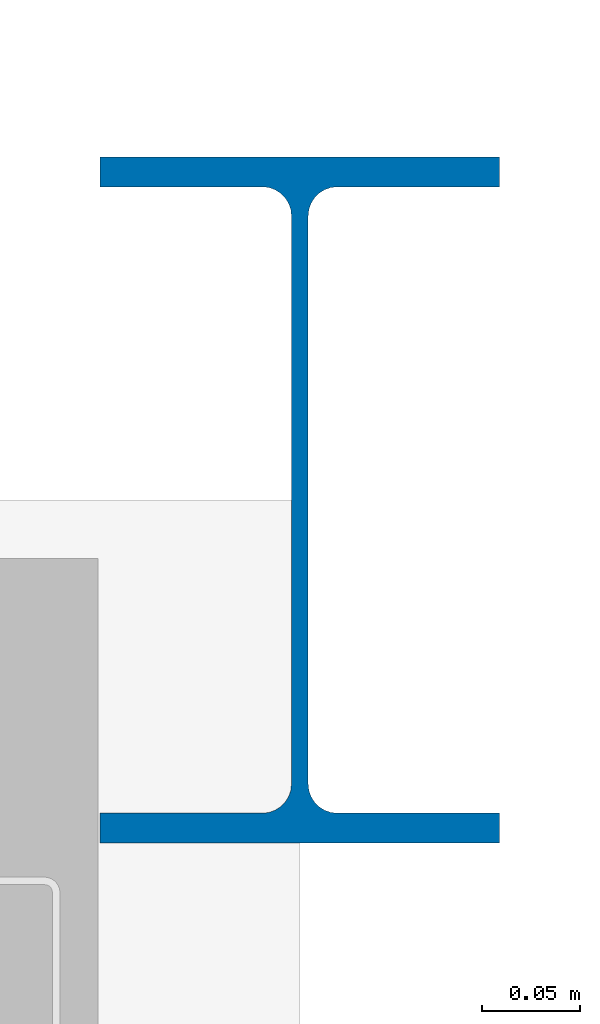
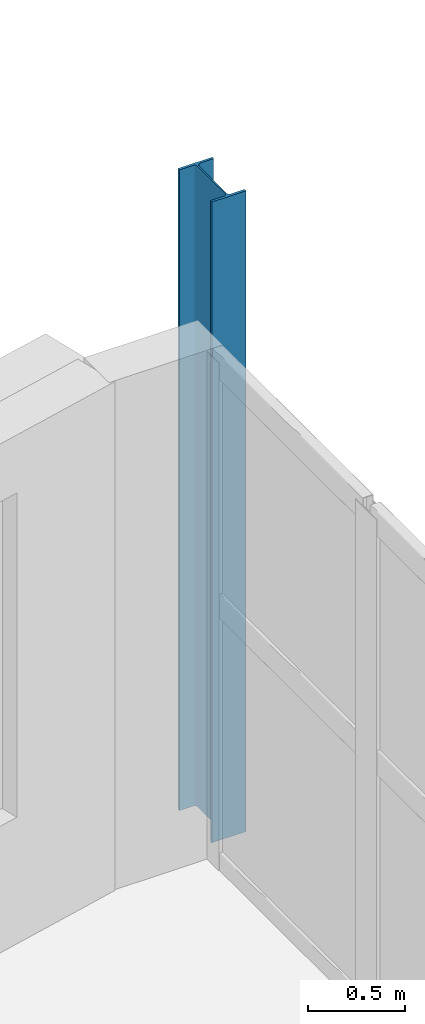
# One storey, part 5 of 38: 1 column.
"""IFC4 building model written with IfcOpenShell, lengths in metres."""

from ifc_helpers import new_model, si_unit, direction, frame, origin, origin_2d, place, context, subcontext, project, spatial, i_section, extrude, material, material_profile, profile_set, type_object, element, save


model = new_model("IFC4")

# Units and contexts
model_context = context("Model", 3, precision=1e-05, world=origin(), true_north=direction((0.0, 1.0)))
body_context = subcontext(model_context, "Body", "Model", "MODEL_VIEW")
ifc_project = project(units=[si_unit("LENGTHUNIT", "METRE"), si_unit("AREAUNIT", "SQUARE_METRE"), si_unit("VOLUMEUNIT", "CUBIC_METRE"), si_unit("PLANEANGLEUNIT", "RADIAN"), si_unit("MASSUNIT", "GRAM", prefix="KILO")], contexts=[model_context])

# Site, building, storey
site_placement = place(None, origin())
site = spatial("IfcSite", under=ifc_project, at=site_placement, CompositionType="ELEMENT")
building_placement = place(site_placement, origin())
building = spatial("IfcBuilding", under=site, at=building_placement, Name="Kalmorath City Hall", CompositionType="ELEMENT")
storey_placement = place(building_placement, frame((0.0, 0.0, 18.89990234375)))
storey = spatial("IfcBuildingStorey", under=building, at=storey_placement, Name="L04", CompositionType="ELEMENT", Elevation=18.89990234375)

# Column
ifc_material = material(Name="Steel ASTM A992 Grade 50", Category="steel")
ifc_material_profile = material_profile(ifc_material, i_section(OverallWidth=0.2041015625, OverallDepth=0.35009765625, WebThickness=0.008544921875, FlangeThickness=0.01513671875, FilletRadius=0.014892578125, at=origin_2d()), Name="W14X48")
ifc_profile_set = profile_set([ifc_material_profile], Name="Steel ASTM A992 Grade 50")
column_type = type_object("IfcColumnType", Name="Steel wide-flange column W14X48", PredefinedType="COLUMN", material=ifc_profile_set)
column_placement = place(storey_placement, frame((36.0, 36.0, 0.0), z_axis=(0.0, 0.0, 1.0), x_axis=(1.0, 0.0, 0.0)))
element("IfcColumn", 1, at=column_placement, inside=storey, type_object=column_type, Name="L04 column SC6 (6/6)", PredefinedType="COLUMN", context=body_context, shape_type="SweptSolid", body=[
    extrude(i_section(OverallWidth=0.2041015625, OverallDepth=0.35009765625, WebThickness=0.008544921875, FlangeThickness=0.01513671875, FilletRadius=0.014892578125, at=origin_2d()), origin(), (0.0, 0.0, 1.0), 4.050048828125),
])

save(model, "model.ifc")
